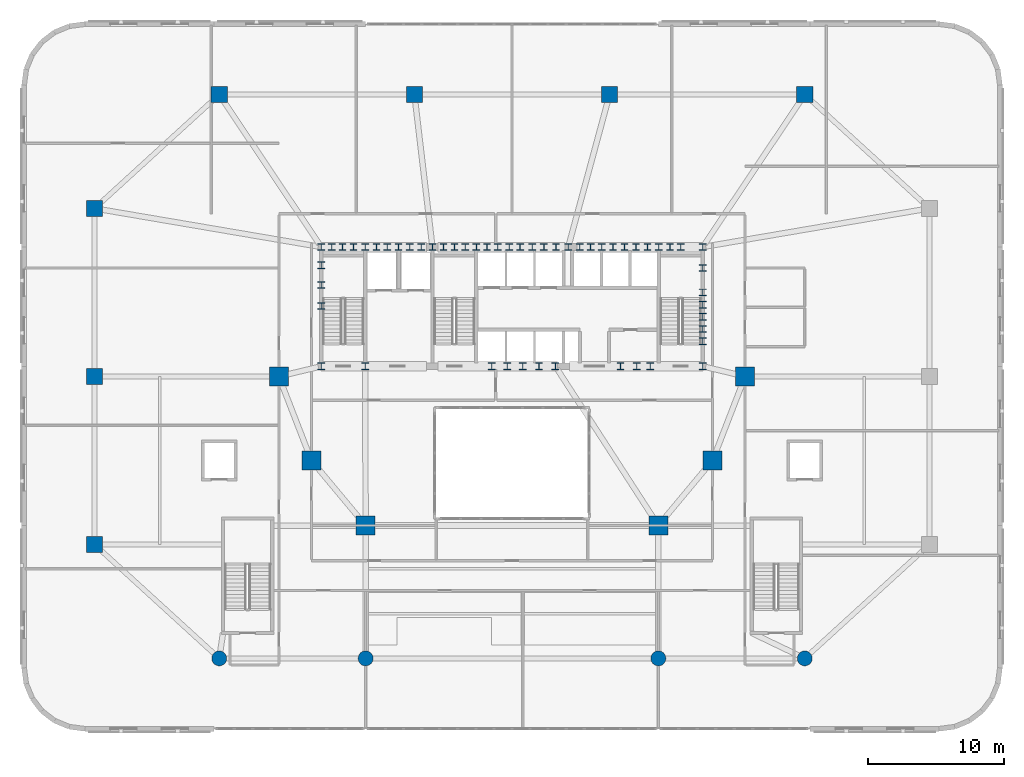
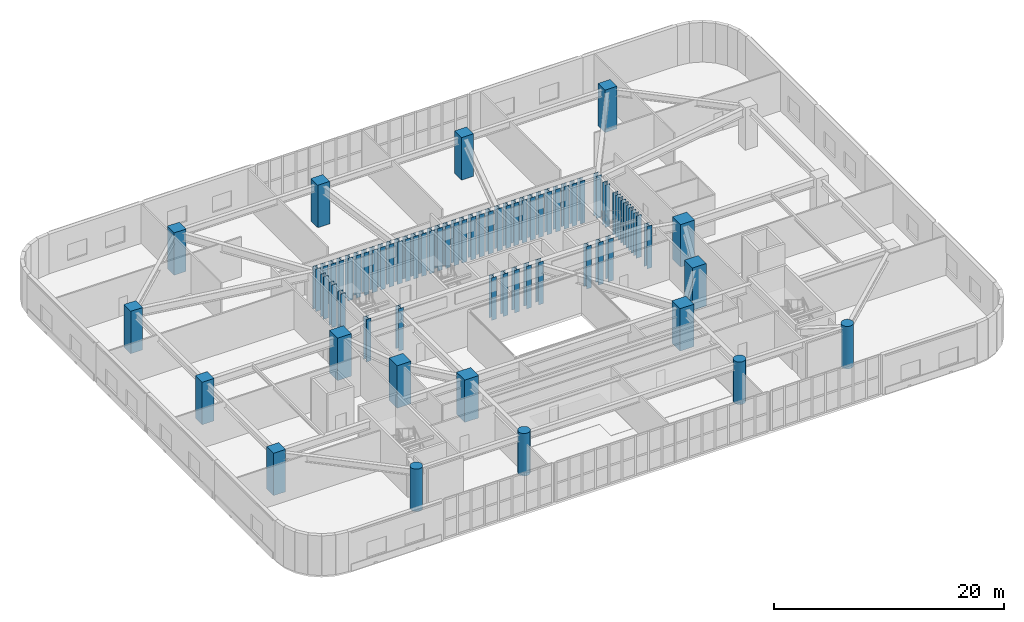
# One storey, part 1 of 25: 71 columns.
"""IFC4 building model written with IfcOpenShell, lengths in metres."""

from ifc_helpers import new_model, si_unit, direction, frame, origin, origin_2d, place, context, subcontext, project, spatial, rectangle, circle, i_section, extrude, material, material_profile, profile_set, type_object, element, save


model = new_model("IFC4")

# Units and contexts
model_context = context("Model", 3, precision=1e-05, world=origin(), true_north=direction((0.0, 1.0)))
body_context = subcontext(model_context, "Body", "Model", "MODEL_VIEW")
ifc_project = project(units=[si_unit("LENGTHUNIT", "METRE"), si_unit("AREAUNIT", "SQUARE_METRE"), si_unit("VOLUMEUNIT", "CUBIC_METRE"), si_unit("PLANEANGLEUNIT", "RADIAN"), si_unit("MASSUNIT", "GRAM", prefix="KILO")], contexts=[model_context])

# Site, building, storey
site_placement = place(None, origin())
site = spatial("IfcSite", under=ifc_project, at=site_placement, CompositionType="ELEMENT")
building_placement = place(site_placement, origin())
building = spatial("IfcBuilding", under=site, at=building_placement, Name="Haldorwick Loom Tower", CompositionType="ELEMENT")
storey_placement = place(building_placement, frame((0.0, 0.0, 10.5)))
storey = spatial("IfcBuildingStorey", under=building, at=storey_placement, Name="L02", CompositionType="ELEMENT", Elevation=10.5)

# Columns
ifc_material_1 = material(Name="Concrete C60 (60 MPa)", Category="concrete")
ifc_material_profile_1 = material_profile(ifc_material_1, rectangle(XDim=1.39990234375, YDim=1.39990234375, at=origin_2d()), Name="RC1400X1400", Category="concrete")
ifc_profile_set_1 = profile_set([ifc_material_profile_1], Name="Concrete C60 (60 MPa)")
column_type_1 = type_object("IfcColumnType", Name="STR-COL-MEGA1400", PredefinedType="COLUMN", material=ifc_profile_set_1)
for number, where, z_axis, x_axis, name in (
    (1, (53.199951171875, 26.0, 0.0), (0.0, 0.0, 1.0), (1.0, 0.0, 0.0), "L02 Inner Column IC-01"),
    (2, (50.800048828125, 19.800048828125, 0.0), (0.0, 0.0, 1.0), (1.0, 0.0, 0.0), "L02 Inner Column IC-02"),
    (3, (21.199951171875, 19.800048828125, 0.0), (0.0, 0.0, 1.0), (1.0, 0.0, 0.0), "L02 Inner Column IC-07"),
    (4, (18.800048828125, 26.0, 0.0), (0.0, 0.0, 1.0), (1.0, 0.0, 0.0), "L02 Inner Column IC-08"),
    (5, (25.199951171875, 15.0, 0.0), (0.0, 0.0, 1.0), (1.0, 0.0, 0.0), "L02 Podium Column PC-TW"),
    (6, (46.800048828125, 15.0, 0.0), (0.0, 0.0, 1.0), (1.0, 0.0, 0.0), "L02 Podium Column PC-TE"),
):
    element("IfcColumn", number, at=place(storey_placement, frame(where, z_axis=z_axis, x_axis=x_axis)), inside=storey, type_object=column_type_1, Name=name, PredefinedType="COLUMN", context=body_context, shape_type="SweptSolid", body=[
        extrude(rectangle(XDim=1.39990234375, YDim=1.39990234375, at=origin_2d()), origin(), (0.0, 0.0, 1.0), 4.5),
    ])
ifc_material_profile_2 = material_profile(ifc_material_1, rectangle(XDim=1.199951171875, YDim=1.199951171875, at=origin_2d()), Name="RC1200X1200", Category="concrete")
ifc_profile_set_2 = profile_set([ifc_material_profile_2], Name="Concrete C60 (60 MPa)")
column_type_2 = type_object("IfcColumnType", Name="STR-COL-RC1200", PredefinedType="COLUMN", material=ifc_profile_set_2)
for number, where, z_axis, x_axis, name in (
    (7, (14.39990234375, 46.800048828125, 0.0), (0.0, 0.0, 1.0), (1.0, 0.0, 0.0), "L02 Podium Column PC-N1"),
    (8, (28.800048828125, 46.800048828125, 0.0), (0.0, 0.0, 1.0), (1.0, 0.0, 0.0), "L02 Podium Column PC-N2"),
    (9, (43.199951171875, 46.800048828125, 0.0), (0.0, 0.0, 1.0), (1.0, 0.0, 0.0), "L02 Podium Column PC-N3"),
    (10, (57.60009765625, 46.800048828125, 0.0), (0.0, 0.0, 1.0), (1.0, 0.0, 0.0), "L02 Podium Column PC-N4"),
    (11, (5.199951171875, 13.60009765625, 0.0), (0.0, 0.0, 1.0), (1.0, 0.0, 0.0), "L02 Podium Column PC-W1"),
    (12, (5.199951171875, 26.0, 0.0), (0.0, 0.0, 1.0), (1.0, 0.0, 0.0), "L02 Podium Column PC-W2"),
    (13, (5.199951171875, 38.39990234375, 0.0), (0.0, 0.0, 1.0), (1.0, 0.0, 0.0), "L02 Podium Column PC-W3"),
):
    element("IfcColumn", number, at=place(storey_placement, frame(where, z_axis=z_axis, x_axis=x_axis)), inside=storey, type_object=column_type_2, Name=name, PredefinedType="COLUMN", context=body_context, shape_type="SweptSolid", body=[
        extrude(rectangle(XDim=1.199951171875, YDim=1.199951171875, at=origin_2d()), origin(), (0.0, 0.0, 1.0), 4.5),
    ])
ifc_material_profile_3 = material_profile(ifc_material_1, circle(Radius=0.550048828125, at=origin_2d()), Name="RCD1100", Category="concrete")
ifc_profile_set_3 = profile_set([ifc_material_profile_3], Name="Concrete C60 (60 MPa)")
column_type_3 = type_object("IfcColumnType", Name="STR-COL-RCD1100", PredefinedType="COLUMN", material=ifc_profile_set_3)
for number, where, z_axis, x_axis, name in (
    (14, (14.39990234375, 5.199951171875, 0.0), (0.0, 0.0, 1.0), (1.0, 0.0, 0.0), "L02 Podium Column PC-S1"),
    (15, (25.199951171875, 5.199951171875, 0.0), (0.0, 0.0, 1.0), (1.0, 0.0, 0.0), "L02 Podium Column PC-S2"),
    (16, (46.800048828125, 5.199951171875, 0.0), (0.0, 0.0, 1.0), (1.0, 0.0, 0.0), "L02 Podium Column PC-S3"),
    (17, (57.60009765625, 5.199951171875, 0.0), (0.0, 0.0, 1.0), (1.0, 0.0, 0.0), "L02 Podium Column PC-S4"),
):
    element("IfcColumn", number, at=place(storey_placement, frame(where, z_axis=z_axis, x_axis=x_axis)), inside=storey, type_object=column_type_3, Name=name, PredefinedType="COLUMN", context=body_context, shape_type="SweptSolid", body=[
        extrude(circle(Radius=0.550048828125, at=origin_2d()), origin(), (0.0, 0.0, 1.0), 4.5),
    ])
ifc_material_2 = material(Name="Steel CSA G40.21 350WT", Category="steel")
ifc_material_profile_4 = material_profile(ifc_material_2, i_section(OverallWidth=0.5, OverallDepth=0.5, WebThickness=0.02197265625, FlangeThickness=0.031982421875, at=origin_2d()), Name="WWF500X500", Category="steel")
ifc_profile_set_4 = profile_set([ifc_material_profile_4], Name="Steel CSA G40.21 350WT")
column_type_4 = type_object("IfcColumnType", Name="STR-COL-WWF500", PredefinedType="COLUMN", material=ifc_profile_set_4)
for number, where, z_axis, x_axis, name in (
    (18, (21.929931640625, 35.550048828125, 0.0), (0.0, 0.0, 1.0), (1.0, 0.0, 0.0), "L02 Core Pilaster CB-01"),
    (19, (23.5, 35.550048828125, 0.0), (0.0, 0.0, 1.0), (1.0, 0.0, 0.0), "L02 Core Pilaster CB-02"),
    (20, (25.169921875, 35.550048828125, 0.0), (0.0, 0.0, 1.0), (1.0, 0.0, 0.0), "L02 Core Pilaster CB-03"),
    (21, (26.800048828125, 35.550048828125, 0.0), (0.0, 0.0, 1.0), (1.0, 0.0, 0.0), "L02 Core Pilaster CB-04"),
    (22, (28.449951171875, 35.550048828125, 0.0), (0.0, 0.0, 1.0), (1.0, 0.0, 0.0), "L02 Core Pilaster CB-05"),
    (23, (30.1298828125, 35.550048828125, 0.0), (0.0, 0.0, 1.0), (1.0, 0.0, 0.0), "L02 Core Pilaster CB-06"),
    (24, (31.75, 35.550048828125, 0.0), (0.0, 0.0, 1.0), (1.0, 0.0, 0.0), "L02 Core Pilaster CB-07"),
    (25, (33.3701171875, 35.550048828125, 0.0), (0.0, 0.0, 1.0), (1.0, 0.0, 0.0), "L02 Core Pilaster CB-08"),
    (26, (34.949951171875, 35.550048828125, 0.0), (0.0, 0.0, 1.0), (1.0, 0.0, 0.0), "L02 Core Pilaster CB-09"),
    (27, (36.60009765625, 35.550048828125, 0.0), (0.0, 0.0, 1.0), (1.0, 0.0, 0.0), "L02 Core Pilaster CB-10"),
    (28, (38.35009765625, 35.550048828125, 0.0), (0.0, 0.0, 1.0), (1.0, 0.0, 0.0), "L02 Core Pilaster CB-11"),
    (29, (40.14990234375, 35.550048828125, 0.0), (0.0, 0.0, 1.0), (1.0, 0.0, 0.0), "L02 Core Pilaster CB-12"),
    (30, (41.800048828125, 35.550048828125, 0.0), (0.0, 0.0, 1.0), (1.0, 0.0, 0.0), "L02 Core Pilaster CB-13"),
    (31, (43.449951171875, 35.550048828125, 0.0), (0.0, 0.0, 1.0), (1.0, 0.0, 0.0), "L02 Core Pilaster CB-14"),
    (32, (45.14990234375, 35.550048828125, 0.0), (0.0, 0.0, 1.0), (1.0, 0.0, 0.0), "L02 Core Pilaster CB-15"),
    (33, (46.830078125, 35.550048828125, 0.0), (0.0, 0.0, 1.0), (1.0, 0.0, 0.0), "L02 Core Pilaster CB-16"),
    (34, (48.449951171875, 35.550048828125, 0.0), (0.0, 0.0, 1.0), (1.0, 0.0, 0.0), "L02 Core Pilaster CB-17"),
    (35, (50.070068359375, 35.550048828125, 0.0), (0.0, 0.0, 1.0), (1.0, 0.0, 0.0), "L02 Core Pilaster CB-18"),
    (36, (21.929931640625, 26.75, 0.0), (0.0, 0.0, 1.0), (1.0, 0.0, 0.0), "L02 Core Pilaster CB-19"),
    (37, (25.169921875, 26.75, 0.0), (0.0, 0.0, 1.0), (1.0, 0.0, 0.0), "L02 Core Pilaster CB-20"),
    (38, (34.5, 26.75, 0.0), (0.0, 0.0, 1.0), (1.0, 0.0, 0.0), "L02 Core Pilaster CB-21"),
    (39, (36.800048828125, 26.75, 0.0), (0.0, 0.0, 1.0), (1.0, 0.0, 0.0), "L02 Core Pilaster CB-22"),
    (40, (39.199951171875, 26.75, 0.0), (0.0, 0.0, 1.0), (1.0, 0.0, 0.0), "L02 Core Pilaster CB-23"),
    (41, (45.199951171875, 26.75, 0.0), (0.0, 0.0, 1.0), (1.0, 0.0, 0.0), "L02 Core Pilaster CB-24"),
    (42, (50.070068359375, 26.75, 0.0), (0.0, 0.0, 1.0), (1.0, 0.0, 0.0), "L02 Core Pilaster CB-25"),
    (43, (21.929931640625, 31.199951171875, 0.0), (0.0, 0.0, 1.0), (1.0, 0.0, 0.0), "L02 Core Pilaster CB-26"),
    (44, (21.929931640625, 32.75, 0.0), (0.0, 0.0, 1.0), (1.0, 0.0, 0.0), "L02 Core Pilaster CB-27"),
    (45, (21.929931640625, 34.199951171875, 0.0), (0.0, 0.0, 1.0), (1.0, 0.0, 0.0), "L02 Core Pilaster CB-28"),
    (46, (50.070068359375, 28.60009765625, 0.0), (0.0, 0.0, 1.0), (1.0, 0.0, 0.0), "L02 Core Pilaster CB-29"),
    (47, (50.070068359375, 30.39990234375, 0.0), (0.0, 0.0, 1.0), (1.0, 0.0, 0.0), "L02 Core Pilaster CB-30"),
    (48, (50.070068359375, 32.199951171875, 0.0), (0.0, 0.0, 1.0), (1.0, 0.0, 0.0), "L02 Core Pilaster CB-31"),
    (49, (50.070068359375, 34.0, 0.0), (0.0, 0.0, 1.0), (1.0, 0.0, 0.0), "L02 Core Pilaster CB-32"),
    (50, (22.699951171875, 35.550048828125, 0.0), (0.0, 0.0, 1.0), (1.0, 0.0, 0.0), "L02 Core Pilaster CB-33"),
    (51, (27.6201171875, 35.550048828125, 0.0), (0.0, 0.0, 1.0), (1.0, 0.0, 0.0), "L02 Core Pilaster CB-34"),
    (52, (32.550048828125, 35.550048828125, 0.0), (0.0, 0.0, 1.0), (1.0, 0.0, 0.0), "L02 Core Pilaster CB-35"),
    (53, (37.5, 35.550048828125, 0.0), (0.0, 0.0, 1.0), (1.0, 0.0, 0.0), "L02 Core Pilaster CB-36"),
    (54, (42.6201171875, 35.550048828125, 0.0), (0.0, 0.0, 1.0), (1.0, 0.0, 0.0), "L02 Core Pilaster CB-37"),
    (55, (47.64990234375, 35.550048828125, 0.0), (0.0, 0.0, 1.0), (1.0, 0.0, 0.0), "L02 Core Pilaster CB-38"),
    (56, (24.300048828125, 35.550048828125, 0.0), (0.0, 0.0, 1.0), (1.0, 0.0, 0.0), "L02 Core Pilaster CB-39"),
    (57, (26.0, 35.550048828125, 0.0), (0.0, 0.0, 1.0), (1.0, 0.0, 0.0), "L02 Core Pilaster CB-40"),
    (58, (29.300048828125, 35.550048828125, 0.0), (0.0, 0.0, 1.0), (1.0, 0.0, 0.0), "L02 Core Pilaster CB-41"),
    (59, (30.949951171875, 35.550048828125, 0.0), (0.0, 0.0, 1.0), (1.0, 0.0, 0.0), "L02 Core Pilaster CB-42"),
    (60, (34.14990234375, 35.550048828125, 0.0), (0.0, 0.0, 1.0), (1.0, 0.0, 0.0), "L02 Core Pilaster CB-43"),
    (61, (35.800048828125, 35.550048828125, 0.0), (0.0, 0.0, 1.0), (1.0, 0.0, 0.0), "L02 Core Pilaster CB-44"),
    (62, (39.25, 35.550048828125, 0.0), (0.0, 0.0, 1.0), (1.0, 0.0, 0.0), "L02 Core Pilaster CB-45"),
    (63, (41.0, 35.550048828125, 0.0), (0.0, 0.0, 1.0), (1.0, 0.0, 0.0), "L02 Core Pilaster CB-46"),
    (64, (44.300048828125, 35.550048828125, 0.0), (0.0, 0.0, 1.0), (1.0, 0.0, 0.0), "L02 Core Pilaster CB-47"),
    (65, (46.0, 35.550048828125, 0.0), (0.0, 0.0, 1.0), (1.0, 0.0, 0.0), "L02 Core Pilaster CB-48"),
    (66, (50.070068359375, 29.5, 0.0), (0.0, 0.0, 1.0), (1.0, 0.0, 0.0), "L02 Core Pilaster CB-49"),
    (67, (50.070068359375, 31.300048828125, 0.0), (0.0, 0.0, 1.0), (1.0, 0.0, 0.0), "L02 Core Pilaster CB-50"),
    (68, (35.64990234375, 26.75, 0.0), (0.0, 0.0, 1.0), (1.0, 0.0, 0.0), "L02 Core Pilaster CB-51"),
    (69, (38.0, 26.75, 0.0), (0.0, 0.0, 1.0), (1.0, 0.0, 0.0), "L02 Core Pilaster CB-52"),
    (70, (44.0, 26.75, 0.0), (0.0, 0.0, 1.0), (1.0, 0.0, 0.0), "L02 Core Pilaster CB-53"),
    (71, (46.199951171875, 26.75, 0.0), (0.0, 0.0, 1.0), (1.0, 0.0, 0.0), "L02 Core Pilaster CB-54"),
):
    element("IfcColumn", number, at=place(storey_placement, frame(where, z_axis=z_axis, x_axis=x_axis)), inside=storey, type_object=column_type_4, Name=name, PredefinedType="COLUMN", context=body_context, shape_type="SweptSolid", body=[
        extrude(i_section(OverallWidth=0.5, OverallDepth=0.5, WebThickness=0.02197265625, FlangeThickness=0.031982421875, at=origin_2d()), origin(), (0.0, 0.0, 1.0), 4.5),
    ])

save(model, "model.ifc")
